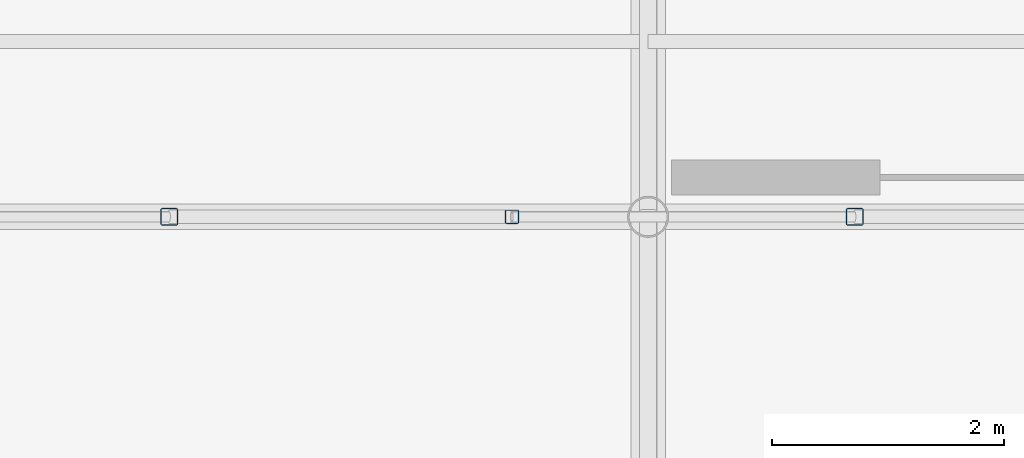
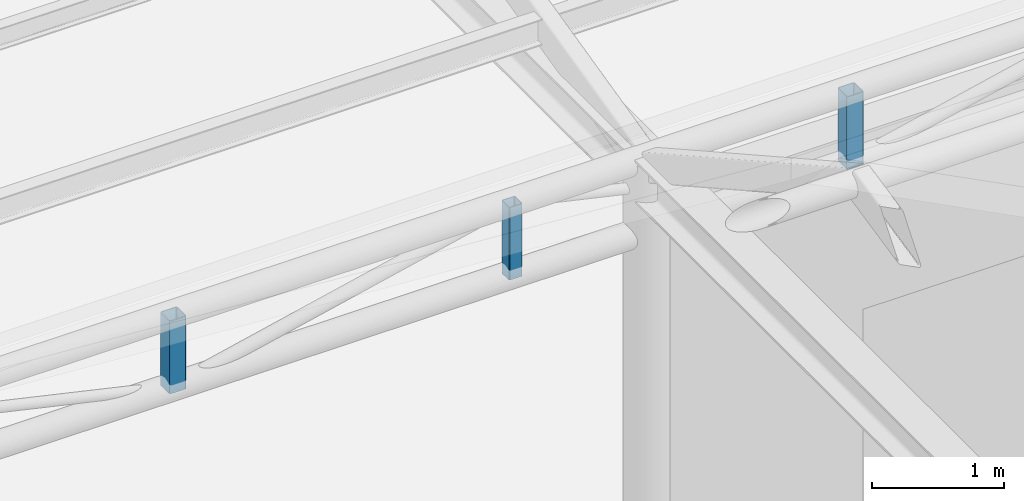
# One storey, part 66 of 118: 3 members.
"""IFC4 building model written with IfcOpenShell, lengths in metres."""

import ifcopenshell
import ifcopenshell.guid

model = None  # the IFC model being written
_history = None  # IfcOwnerHistory: only IFC2X3 demands one
_inside = {}  # id of a spatial element -> (the spatial element, [elements in it])
_under = {}  # id of a project, library or spatial element -> (it, [spatial elements below it])
_declared = {}  # id of a project -> (the project, [libraries it declares])
_typed = {}  # id of a type object -> (the type object, [elements of that type])
_made_of = {}  # id of a material, layer set ... -> (it, [elements and type objects made of it])


def new_model(schema):
    """Start an empty IFC model of exactly this schema.

    Asked for "IFC4X3", IfcOpenShell would pick the latest addendum, in which some entities
    have other attributes; the version numbers below select the first issue.
    IFC2X3 requires an IfcOwnerHistory on every rooted entity: one is made here for all.
    """
    global model, _history
    if schema == "IFC4X3":
        model = ifcopenshell.file(schema_version=(4, 3, 0, 0))
    else:
        model = ifcopenshell.file(schema=schema)
    _inside.clear()
    _under.clear()
    _declared.clear()
    _typed.clear()
    _made_of.clear()
    _history = None
    if model.schema == "IFC2X3":
        org = make("IfcOrganization", Name="unknown")
        user = make(
            "IfcPersonAndOrganization",
            ThePerson=make("IfcPerson", FamilyName="unknown"),
            TheOrganization=org,
        )
        app = make(
            "IfcApplication",
            ApplicationDeveloper=org,
            Version="unknown",
            ApplicationFullName="unknown",
            ApplicationIdentifier="unknown",
        )
        _history = make(
            "IfcOwnerHistory",
            OwningUser=user,
            OwningApplication=app,
            ChangeAction="ADDED",
            CreationDate=0,
        )
    return model


def make(cls, **values):
    """One entity of the class cls with the attributes given. An attribute that is None is left unset."""
    return model.create_entity(
        cls, **{name: value for name, value in values.items() if value is not None}
    )


def rooted(cls, **values):
    """An entity with a GlobalId (a new one), such as an element, a storey or a relation."""
    return make(cls, GlobalId=ifcopenshell.guid.new(), OwnerHistory=_history, **values)


def si_unit(unit_type, name, prefix=None):
    """IfcSIUnit, for example si_unit("LENGTHUNIT", "METRE", prefix="MILLI")."""
    return make("IfcSIUnit", UnitType=unit_type, Prefix=prefix, Name=name)


def assignment(units):
    """IfcUnitAssignment: the units of a project."""
    return None if units is None else make("IfcUnitAssignment", Units=units)


def point(xyz):
    """IfcCartesianPoint."""
    return None if xyz is None else make("IfcCartesianPoint", Coordinates=xyz)


def direction(xyz):
    """IfcDirection."""
    return None if xyz is None else make("IfcDirection", DirectionRatios=xyz)


def frame(location, z_axis=None, x_axis=None):
    """IfcAxis2Placement3D, a coordinate frame: its origin and axes. An axis left out is left unset."""
    return make(
        "IfcAxis2Placement3D",
        Location=point(location),
        Axis=direction(z_axis),
        RefDirection=direction(x_axis),
    )


def frame_2d(location, x_axis=None):
    """IfcAxis2Placement2D, a coordinate frame in the plane: its origin and x axis."""
    return make(
        "IfcAxis2Placement2D", Location=point(location), RefDirection=direction(x_axis)
    )


def origin():
    """The frame at (0, 0, 0) with its axes left unset."""
    return frame((0.0, 0.0, 0.0))


def origin_2d():
    """The frame at (0, 0) in the plane with its x axis left unset."""
    return frame_2d((0.0, 0.0))


def place(relative_to, where):
    """IfcLocalPlacement: puts the frame where relative to a parent placement (None: the world)."""
    return make(
        "IfcLocalPlacement", PlacementRelTo=relative_to, RelativePlacement=where
    )


def context(
    kind, dimensions, precision=None, world=None, true_north=None, identifier=None
):
    """IfcGeometricRepresentationContext, for example the 3D "Model" context."""
    return make(
        "IfcGeometricRepresentationContext",
        ContextIdentifier=identifier,
        ContextType=kind,
        CoordinateSpaceDimension=dimensions,
        Precision=precision,
        WorldCoordinateSystem=world,
        TrueNorth=true_north,
    )


def subcontext(parent, identifier, kind, view, scale=None):
    """IfcGeometricRepresentationSubContext, for example "Body" below "Model"."""
    return make(
        "IfcGeometricRepresentationSubContext",
        ContextIdentifier=identifier,
        ContextType=kind,
        ParentContext=parent,
        TargetScale=scale,
        TargetView=view,
    )


def project(units=None, contexts=None):
    """IfcProject with its units and contexts."""
    return rooted(
        "IfcProject",
        Name="project",
        RepresentationContexts=contexts,
        UnitsInContext=assignment(units),
    )


def spatial(cls, under=None, at=None, **own):
    """A site, building, storey or space (cls), placed at a placement, below another one or the project."""
    s = rooted(cls, ObjectPlacement=at, **own)
    if under is not None:
        _under.setdefault(under.id(), (under, []))[1].append(s)
    return s


def profile(cls, at=None, kind="AREA", **sizes):
    """A parametric profile (cls). Its sizes go by their IFC names, for example OverallWidth=200.0."""
    return make(cls, ProfileType=kind, Position=at, **sizes)


def hollow_rectangle(**sizes):
    """IfcRectangleHollowProfileDef."""
    return profile("IfcRectangleHollowProfileDef", **sizes)


def extrude(swept, where, along, depth):
    """IfcExtrudedAreaSolid: the profile swept, set in the frame where, extruded along a direction by depth."""
    return make(
        "IfcExtrudedAreaSolid",
        SweptArea=swept,
        Position=where,
        ExtrudedDirection=direction(along),
        Depth=depth,
    )


def shape(context_of_items, identifier, shape_type, items):
    """IfcShapeRepresentation: the items that make up one representation, for example the "Body"."""
    return make(
        "IfcShapeRepresentation",
        ContextOfItems=context_of_items,
        RepresentationIdentifier=identifier,
        RepresentationType=shape_type,
        Items=items,
    )


def material(Name=None, Category=None):
    """IfcMaterial."""
    return make("IfcMaterial", Name=Name, Category=Category)


def material_profile(
    of_material, cross_section, Name=None, Category=None, Priority=None
):
    """IfcMaterialProfile: a cross section and its material."""
    return make(
        "IfcMaterialProfile",
        Name=Name,
        Material=of_material,
        Profile=cross_section,
        Priority=Priority,
        Category=Category,
    )


def profile_set(profiles, Name=None, composite=None):
    """IfcMaterialProfileSet."""
    return make(
        "IfcMaterialProfileSet",
        Name=Name,
        MaterialProfiles=profiles,
        CompositeProfile=composite,
    )


def made_of(thing, what):
    """Note that an element or type object is made of a material, layer set ...; save() writes the relation."""
    if what is not None:
        _made_of.setdefault(what.id(), (what, []))[1].append(thing)
    return thing


def type_object(cls, material=None, **own):
    """A type object (cls), such as IfcWallType, which elements share."""
    return made_of(rooted(cls, **own), material)


def element(
    cls,
    number,
    at=None,
    inside=None,
    cuts=None,
    type_object=None,
    material=None,
    context=None,
    identifier="Body",
    shape_type=None,
    held_by="IfcProductDefinitionShape",
    body=None,
    shapes=None,
    **own,
):
    """One element of the class cls, such as IfcWall. Its Tag is "e" and its number.

    at: its placement. inside: the storey or other place that contains it. cuts: it is an
    opening in that element (IfcRelVoidsElement). A single representation is given by context,
    identifier, shape_type and body (its items); several are given by shapes. held_by: the class
    of the entity that holds the representations. save() writes the other relations.
    """
    e = rooted(cls, Tag="e%d" % number, ObjectPlacement=at, **own)
    if body is not None:
        shapes = [shape(context, identifier, shape_type, body)]
    if shapes is not None:
        e.Representation = make(held_by, Representations=shapes)
    if inside is not None:
        _inside.setdefault(inside.id(), (inside, []))[1].append(e)
    if cuts is not None:
        rooted(
            "IfcRelVoidsElement", RelatingBuildingElement=cuts, RelatedOpeningElement=e
        )
    if type_object is not None:
        _typed.setdefault(type_object.id(), (type_object, []))[1].append(e)
    return made_of(e, material)


def aggregate(whole, parts):
    """IfcRelAggregates: a whole, such as a stair, and the parts it consists of."""
    return rooted("IfcRelAggregates", RelatingObject=whole, RelatedObjects=parts)


def save(model, path):
    """Write the relations noted so far, then the file.

    IfcRelAggregates (storeys below a building ...), IfcRelContainedInSpatialStructure (elements
    in a storey), IfcRelDefinesByType, IfcRelAssociatesMaterial and IfcRelDeclares: one each for
    every whole, place, type object, material and project.
    """
    for whole, parts in _under.values():
        aggregate(whole, parts)
    for where, things in _inside.values():
        rooted(
            "IfcRelContainedInSpatialStructure",
            RelatedElements=things,
            RelatingStructure=where,
        )
    for kind, things in _typed.values():
        rooted("IfcRelDefinesByType", RelatedObjects=things, RelatingType=kind)
    for what, things in _made_of.values():
        rooted("IfcRelAssociatesMaterial", RelatedObjects=things, RelatingMaterial=what)
    for by, libraries in _declared.values():
        rooted("IfcRelDeclares", RelatingContext=by, RelatedDefinitions=libraries)
    model.write(path)


model = new_model("IFC4")

# Units and contexts
model_context = context("Model", 3, precision=1e-05, world=origin(), true_north=direction((0.0, 1.0)))
body_context = subcontext(model_context, "Body", "Model", "MODEL_VIEW")
ifc_project = project(units=[si_unit("LENGTHUNIT", "METRE"), si_unit("AREAUNIT", "SQUARE_METRE"), si_unit("VOLUMEUNIT", "CUBIC_METRE"), si_unit("PLANEANGLEUNIT", "RADIAN"), si_unit("MASSUNIT", "GRAM", prefix="KILO")], contexts=[model_context])

# Site, building, storey
site_placement = place(None, origin())
site = spatial("IfcSite", under=ifc_project, at=site_placement, CompositionType="ELEMENT")
building_placement = place(site_placement, origin())
building = spatial("IfcBuilding", under=site, at=building_placement, Name="Kolvaren Corner Interchange", CompositionType="ELEMENT")
storey_placement = place(building_placement, origin())
storey = spatial("IfcBuildingStorey", under=building, at=storey_placement, Name="L01", CompositionType="ELEMENT", Elevation=0.0)

# Members
ifc_material_1 = material(Name="Steel S355", Category="steel")
ifc_material_profile_1 = material_profile(ifc_material_1, hollow_rectangle(XDim=0.1201171875, YDim=0.1201171875, WallThickness=0.00634765625, InnerFilletRadius=0.00634765625, OuterFilletRadius=0.0126953125, at=origin_2d()), Name="SHS 120x120x6.3")
ifc_profile_set_1 = profile_set([ifc_material_profile_1], Name="Steel S355")
member_type_1 = type_object("IfcMemberType", Name="MEM-PT-SHS120", PredefinedType="POST", material=ifc_profile_set_1)
member_placement = place(storey_placement, frame((154.625, 101.5, 5.64990234375), z_axis=(0.0, 0.0, 1.0), x_axis=(1.0, 0.0, 0.0)))
element("IfcMember", 1, at=member_placement, inside=storey, type_object=member_type_1, Name="Bus Canopy Sawtooth Roof Truss 06 Web Post 10", PredefinedType="POST", context=body_context, shape_type="SweptSolid", body=[
    extrude(hollow_rectangle(XDim=0.1201171875, YDim=0.1201171875, WallThickness=0.00634765625, InnerFilletRadius=0.00634765625, OuterFilletRadius=0.0126953125, at=origin_2d()), origin(), (0.0, 0.0, 1.0), 0.670166015625),
])
ifc_material_2 = material(Name="Steel S355", Category="steel")
ifc_material_profile_2 = material_profile(ifc_material_2, hollow_rectangle(XDim=0.14990234375, YDim=0.14990234375, WallThickness=0.008056640625, InnerFilletRadius=0.008056640625, OuterFilletRadius=0.01611328125, at=origin_2d()), Name="SHS 150x150x8.0")
ifc_profile_set_2 = profile_set([ifc_material_profile_2], Name="Steel S355")
member_type_2 = type_object("IfcMemberType", Name="MEM-PT-SHS150", PredefinedType="POST", material=ifc_profile_set_2)
for number, where, z_axis, x_axis, name in (
    (2, (151.666748046875, 101.5, 5.64990234375), (0.0, 0.0, 1.0), (1.0, 0.0, 0.0), "Bus Canopy Sawtooth Roof Truss 06 Web Post 09"),
    (3, (157.583251953125, 101.5, 5.64990234375), (0.0, 0.0, 1.0), (1.0, 0.0, 0.0), "Bus Canopy Sawtooth Roof Truss 06 Web Post 11"),
):
    element("IfcMember", number, at=place(storey_placement, frame(where, z_axis=z_axis, x_axis=x_axis)), inside=storey, type_object=member_type_2, Name=name, PredefinedType="POST", context=body_context, shape_type="SweptSolid", body=[
        extrude(hollow_rectangle(XDim=0.14990234375, YDim=0.14990234375, WallThickness=0.008056640625, InnerFilletRadius=0.008056640625, OuterFilletRadius=0.01611328125, at=origin_2d()), origin(), (0.0, 0.0, 1.0), 0.670166015625),
    ])

save(model, "model.ifc")
